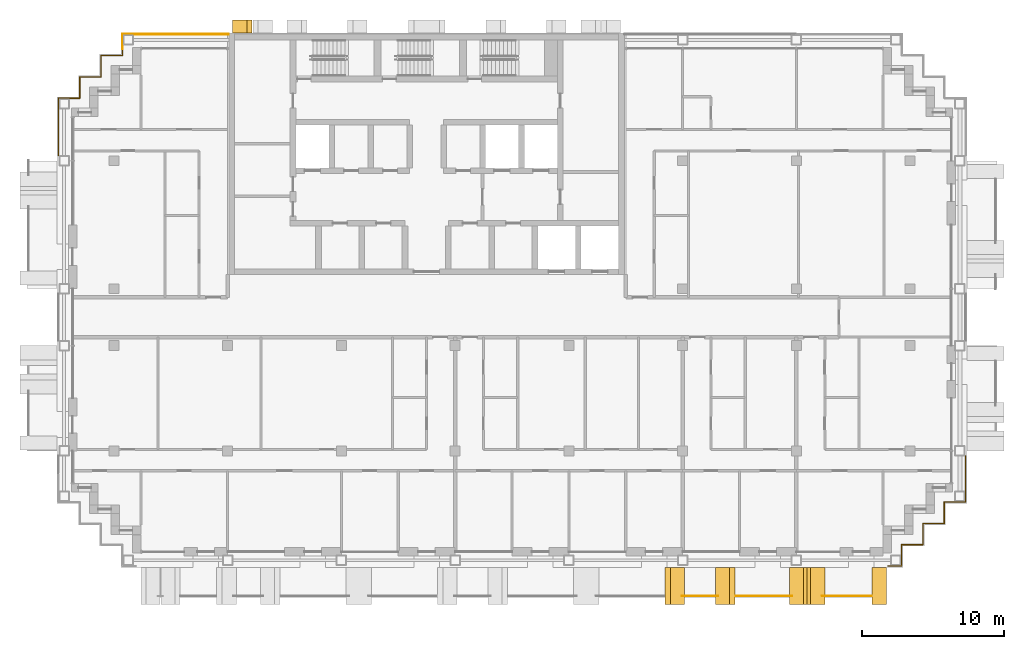
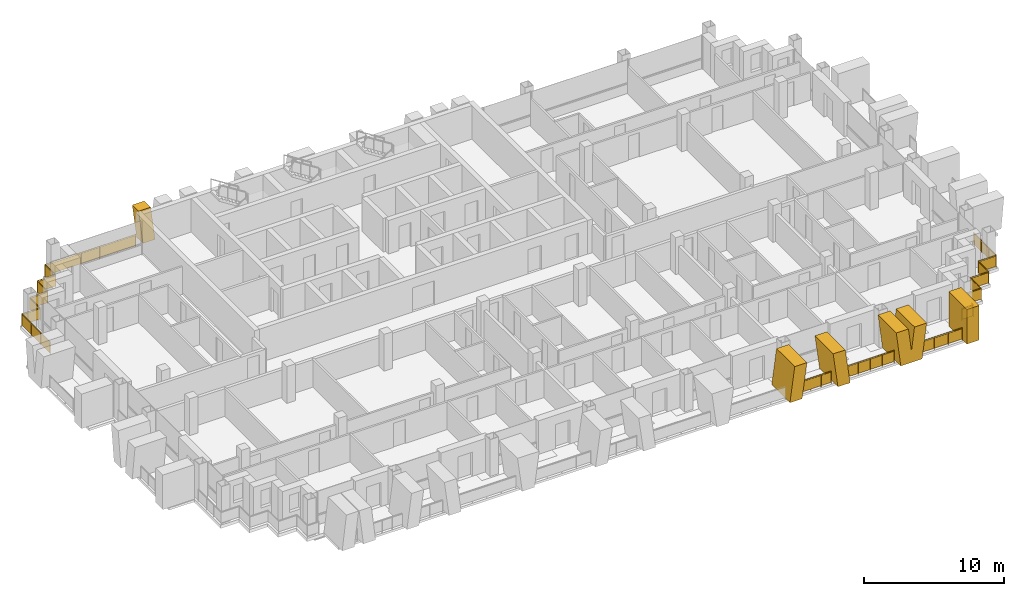
# One storey, part 14 of 16: 7 railings, 5 shading devices.
"""IFC4 building model written with IfcOpenShell, lengths in metres."""

from ifc_helpers import new_model, si_unit, direction, frame, origin, origin_2d, place, context, subcontext, project, spatial, polyline, rectangle, circle, outline, extrude, material, layer, layer_set, type_object, element, save


model = new_model("IFC4")

# Units and contexts
model_context = context("Model", 3, precision=1e-05, world=origin(), true_north=direction((0.0, 1.0)))
body_context = subcontext(model_context, "Body", "Model", "MODEL_VIEW")
ifc_project = project(units=[si_unit("LENGTHUNIT", "METRE"), si_unit("AREAUNIT", "SQUARE_METRE"), si_unit("VOLUMEUNIT", "CUBIC_METRE"), si_unit("PLANEANGLEUNIT", "RADIAN"), si_unit("MASSUNIT", "GRAM", prefix="KILO")], contexts=[model_context])

# Site, building, storey
site_placement = place(None, origin())
site = spatial("IfcSite", under=ifc_project, at=site_placement, CompositionType="ELEMENT")
building_placement = place(site_placement, origin())
building = spatial("IfcBuilding", under=site, at=building_placement, Name="Vidyagriha Tower", CompositionType="ELEMENT")
storey_placement = place(building_placement, frame((0.0, 0.0, 181.300048828125)))
storey = spatial("IfcBuildingStorey", under=building, at=storey_placement, Name="L47", CompositionType="ELEMENT", Elevation=181.300048828125)

# Railings
ifc_material_1 = material(Name="Steel ASTM A500 Grade C black painted", Category="steel")
railing_type_1 = type_object("IfcRailingType", Name="Balcony guard 1100", PredefinedType="BALUSTRADE", material=ifc_material_1)
railing_1_placement = place(storey_placement, frame((17.951416015625, -19.60009765625, 0.0)))
element("IfcRailing", 1, at=railing_1_placement, inside=storey, type_object=railing_type_1, Name="Balcony guard L47 R23.1-9", PredefinedType="BALUSTRADE", context=body_context, shape_type="SweptSolid", body=[
    extrude(circle(Radius=0.02490234375, at=origin_2d()), frame((0.0, 0.0, 1.0751953125), z_axis=(1.0, 0.0, 0.0), x_axis=(0.0, 1.0, 0.0)), (0.0, 0.0, 1.0), 2.547119140625),
    extrude(circle(Radius=0.02001953125, at=origin_2d()), origin(), (0.0, 0.0, 1.0), 1.050048828125),
    extrude(circle(Radius=0.02001953125, at=origin_2d()), frame((0.84912109375, 0.0, 0.0)), (0.0, 0.0, 1.0), 1.050048828125),
    extrude(circle(Radius=0.02001953125, at=origin_2d()), frame((1.697998046875, 0.0, 0.0)), (0.0, 0.0, 1.0), 1.050048828125),
    extrude(circle(Radius=0.02001953125, at=origin_2d()), frame((2.547119140625, 0.0, 0.0)), (0.0, 0.0, 1.0), 1.050048828125),
    extrude(rectangle(XDim=0.010009765625, YDim=0.900146484375, at=origin_2d()), frame((0.0, 0.0, 0.550048828125), z_axis=(1.0, 0.0, 0.0), x_axis=(0.0, 1.0, 0.0)), (0.0, 0.0, 1.0), 2.547119140625),
])
railing_2_placement = place(storey_placement, frame((21.75, -19.60009765625, 0.0)))
element("IfcRailing", 2, at=railing_2_placement, inside=storey, type_object=railing_type_1, Name="Balcony guard L47 R23.1-10", PredefinedType="BALUSTRADE", context=body_context, shape_type="SweptSolid", body=[
    extrude(circle(Radius=0.02490234375, at=origin_2d()), frame((0.0, 0.0, 1.0751953125), z_axis=(1.0, 0.0, 0.0), x_axis=(0.0, 1.0, 0.0)), (0.0, 0.0, 1.0), 3.93115234375),
    extrude(circle(Radius=0.02001953125, at=origin_2d()), origin(), (0.0, 0.0, 1.0), 1.050048828125),
    extrude(circle(Radius=0.02001953125, at=origin_2d()), frame((0.98291015625, 0.0, 0.0)), (0.0, 0.0, 1.0), 1.050048828125),
    extrude(circle(Radius=0.02001953125, at=origin_2d()), frame((1.965576171875, 0.0, 0.0)), (0.0, 0.0, 1.0), 1.050048828125),
    extrude(circle(Radius=0.02001953125, at=origin_2d()), frame((2.9482421875, 0.0, 0.0)), (0.0, 0.0, 1.0), 1.050048828125),
    extrude(circle(Radius=0.02001953125, at=origin_2d()), frame((3.93115234375, 0.0, 0.0)), (0.0, 0.0, 1.0), 1.050048828125),
    extrude(rectangle(XDim=0.010009765625, YDim=0.900146484375, at=origin_2d()), frame((0.0, 0.0, 0.550048828125), z_axis=(1.0, 0.0, 0.0), x_axis=(0.0, 1.0, 0.0)), (0.0, 0.0, 1.0), 3.93115234375),
])
railing_3_placement = place(storey_placement, frame((27.81884765625, -19.60009765625, 0.0)))
element("IfcRailing", 3, at=railing_3_placement, inside=storey, type_object=railing_type_1, Name="Balcony guard L47 R23.1-11", PredefinedType="BALUSTRADE", context=body_context, shape_type="SweptSolid", body=[
    extrude(circle(Radius=0.02490234375, at=origin_2d()), frame((0.0, 0.0, 1.0751953125), z_axis=(1.0, 0.0, 0.0), x_axis=(0.0, 1.0, 0.0)), (0.0, 0.0, 1.0), 3.4560546875),
    extrude(circle(Radius=0.02001953125, at=origin_2d()), origin(), (0.0, 0.0, 1.0), 1.050048828125),
    extrude(circle(Radius=0.02001953125, at=origin_2d()), frame((1.152099609375, 0.0, 0.0)), (0.0, 0.0, 1.0), 1.050048828125),
    extrude(circle(Radius=0.02001953125, at=origin_2d()), frame((2.303955078125, 0.0, 0.0)), (0.0, 0.0, 1.0), 1.050048828125),
    extrude(circle(Radius=0.02001953125, at=origin_2d()), frame((3.4560546875, 0.0, 0.0)), (0.0, 0.0, 1.0), 1.050048828125),
    extrude(rectangle(XDim=0.010009765625, YDim=0.900146484375, at=origin_2d()), frame((0.0, 0.0, 0.550048828125), z_axis=(1.0, 0.0, 0.0), x_axis=(0.0, 1.0, 0.0)), (0.0, 0.0, 1.0), 3.4560546875),
])

# Shading devices
ifc_material_2 = material(Name="Precast concrete C40/50 with buff brick facing", Category="concrete")
ifc_layer_1 = layer(ifc_material_2, 1.0)
ifc_layer_set_1 = layer_set([ifc_layer_1], Name="Precast concrete C40/50 with buff brick facing")
shading_device_type_1 = type_object("IfcShadingDeviceType", Name="Brick-faced blade fin arm leaning 8 degrees", PredefinedType="USERDEFINED", material=ifc_layer_set_1)
shading_device_1_placement = place(storey_placement, frame((20.304931640625, -18.89990234375, 0.0)))
element("IfcShadingDevice", 4, at=shading_device_1_placement, inside=storey, type_object=shading_device_type_1, Name="Leaning blade fin L47 R23.3810a", ObjectType="BLADE FIN", PredefinedType="USERDEFINED", context=body_context, shape_type="SweptSolid", body=[
    extrude(outline(polyline([(0.39501953125, 0.0), (1.39501953125, 0.0), (1.0, 3.0), (0.0, 3.0), (0.39501953125, 0.0)])), frame((0.0, 1.300048828125, 0.0), z_axis=(0.0, -1.0, 0.0), x_axis=(1.0, 0.0, 0.0)), (0.0, 0.0, 1.0), 2.60009765625),
])
shading_device_2_placement = place(storey_placement, frame((16.75, -18.89990234375, 0.0)))
element("IfcShadingDevice", 5, at=shading_device_2_placement, inside=storey, type_object=shading_device_type_1, Name="Leaning blade fin L47 R23.3810b", ObjectType="BLADE FIN", PredefinedType="USERDEFINED", context=body_context, shape_type="SweptSolid", body=[
    extrude(outline(polyline([(0.0, 0.0), (1.0, 0.0), (1.39501953125, 3.0), (0.39501953125, 3.0), (0.0, 0.0)])), frame((0.0, 1.300048828125, 0.0), z_axis=(0.0, -1.0, 0.0), x_axis=(1.0, 0.0, 0.0)), (0.0, 0.0, 1.0), 2.60009765625),
])
ifc_material_3 = material(Name="Precast concrete C40/50 with buff brick facing", Category="concrete")
ifc_layer_2 = layer(ifc_material_3, 1.0)
ifc_layer_set_2 = layer_set([ifc_layer_2], Name="Precast concrete C40/50 with buff brick facing")
shading_device_type_2 = type_object("IfcShadingDeviceType", Name="Brick-faced blade fin forking 8 degrees", PredefinedType="USERDEFINED", material=ifc_layer_set_2)
shading_device_3_placement = place(storey_placement, frame((25.5, -18.89990234375, 0.0)))
element("IfcShadingDevice", 6, at=shading_device_3_placement, inside=storey, type_object=shading_device_type_2, Name="Forked blade fin L47 R23.4610a", ObjectType="BLADE FIN", PredefinedType="USERDEFINED", context=body_context, shape_type="SweptSolid", body=[
    extrude(outline(polyline([(0.375, 0.0), (2.125, 0.0), (2.5, 3.0), (1.5, 3.0), (1.25, 1.0), (1.0, 3.0), (0.0, 3.0), (0.375, 0.0)])), frame((0.0, 1.300048828125, 0.0), z_axis=(0.0, -1.0, 0.0), x_axis=(1.0, 0.0, 0.0)), (0.0, 0.0, 1.0), 2.60009765625),
])
ifc_material_4 = material(Name="Precast concrete C40/50 with buff brick facing", Category="concrete")
ifc_layer_3 = layer(ifc_material_4, 1.0)
ifc_layer_set_3 = layer_set([ifc_layer_3], Name="Precast concrete C40/50 with buff brick facing")
shading_device_type_3 = type_object("IfcShadingDeviceType", Name="Brick-faced blade fin stem 1000", PredefinedType="USERDEFINED", material=ifc_layer_set_3)
shading_device_4_placement = place(storey_placement, frame((31.324951171875, -18.89990234375, 0.0)))
element("IfcShadingDevice", 7, at=shading_device_4_placement, inside=storey, type_object=shading_device_type_3, Name="Stem blade fin L47 R23.5220a", ObjectType="BLADE FIN", PredefinedType="USERDEFINED", context=body_context, shape_type="SweptSolid", body=[
    extrude(outline(polyline([(0.0, 0.0), (1.0, 0.0), (1.0, 3.0), (0.0, 3.0), (0.0, 0.0)])), frame((0.0, 1.300048828125, 0.0), z_axis=(0.0, -1.0, 0.0), x_axis=(1.0, 0.0, 0.0)), (0.0, 0.0, 1.0), 2.60009765625),
])
ifc_material_5 = material(Name="Precast concrete C40/50 with brick facing", Category="concrete")
ifc_layer_4 = layer(ifc_material_5, 1.0)
ifc_layer_set_4 = layer_set([ifc_layer_4], Name="Precast concrete C40/50 with brick facing")
shading_device_type_4 = type_object("IfcShadingDeviceType", Name="Brick-faced rear rib arm leaning 8 degrees", PredefinedType="USERDEFINED", material=ifc_layer_set_4)
shading_device_5_placement = place(storey_placement, frame((-12.28564453125, 20.449951171875, 0.0), z_axis=(0.0, 0.0, 1.0), x_axis=(-1.0, 0.0, 0.0)))
element("IfcShadingDevice", 8, at=shading_device_5_placement, inside=storey, type_object=shading_device_type_4, Name="Rear rib arm L47 R08.5a", ObjectType="BLADE FIN", PredefinedType="USERDEFINED", context=body_context, shape_type="SweptSolid", body=[
    extrude(outline(polyline([(0.0, 0.0), (1.0, 0.0), (1.357177734375, 2.919921875), (0.357177734375, 2.919921875), (0.0, 0.0)])), frame((0.0, 0.449951171875, 0.0), z_axis=(0.0, -1.0, 0.0), x_axis=(1.0, 0.0, 0.0)), (0.0, 0.0, 1.0), 0.89990234375),
])

# Railings
ifc_material_6 = material(Name="Steel ASTM A500 Grade C black painted", Category="steel")
railing_type_2 = type_object("IfcRailingType", Name="Gallery guard 1100", PredefinedType="GUARDRAIL", material=ifc_material_6)
railing_4_placement = place(storey_placement, frame((-25.89990234375, 11.360107421875, 0.0)))
element("IfcRailing", 9, at=railing_4_placement, inside=storey, type_object=railing_type_2, Name="Gallery guard L47 4", PredefinedType="GUARDRAIL", context=body_context, shape_type="SweptSolid", body=[
    extrude(circle(Radius=0.02490234375, at=origin_2d()), frame((0.0, 0.0, 1.0751953125), z_axis=(0.0, 1.0, 0.0), x_axis=(-1.0, 0.0, 0.0)), (0.0, 0.0, 1.0), 4.039794921875),
    extrude(circle(Radius=0.02490234375, at=origin_2d()), frame((0.0, 4.039794921875, 1.0751953125), z_axis=(1.0, 0.0, 0.0), x_axis=(0.0, 1.0, 0.0)), (0.0, 0.0, 1.0), 1.5),
    extrude(circle(Radius=0.02490234375, at=origin_2d()), frame((1.5, 4.039794921875, 1.0751953125), z_axis=(0.0, 1.0, 0.0), x_axis=(-1.0, 0.0, 0.0)), (0.0, 0.0, 1.0), 1.5),
    extrude(circle(Radius=0.02490234375, at=origin_2d()), frame((1.5, 5.539794921875, 1.0751953125), z_axis=(1.0, 0.0, 0.0), x_axis=(0.0, 1.0, 0.0)), (0.0, 0.0, 1.0), 1.5),
    extrude(circle(Radius=0.02490234375, at=origin_2d()), frame((3.0, 5.539794921875, 1.0751953125), z_axis=(0.0, 1.0, 0.0), x_axis=(-1.0, 0.0, 0.0)), (0.0, 0.0, 1.0), 1.5),
    extrude(circle(Radius=0.02490234375, at=origin_2d()), frame((3.0, 7.039794921875, 1.0751953125), z_axis=(1.0, 0.0, 0.0), x_axis=(0.0, 1.0, 0.0)), (0.0, 0.0, 1.0), 1.5),
    extrude(circle(Radius=0.02490234375, at=origin_2d()), frame((4.5, 7.039794921875, 1.0751953125), z_axis=(0.0, 1.0, 0.0), x_axis=(-1.0, 0.0, 0.0)), (0.0, 0.0, 1.0), 0.460205078125),
    extrude(circle(Radius=0.02001953125, at=origin_2d()), origin(), (0.0, 0.0, 1.0), 1.050048828125),
    extrude(circle(Radius=0.02001953125, at=origin_2d()), frame((0.0, 1.3466796875, 0.0)), (0.0, 0.0, 1.0), 1.050048828125),
    extrude(circle(Radius=0.02001953125, at=origin_2d()), frame((0.0, 2.693115234375, 0.0)), (0.0, 0.0, 1.0), 1.050048828125),
    extrude(circle(Radius=0.02001953125, at=origin_2d()), frame((0.0, 4.039794921875, 0.0)), (0.0, 0.0, 1.0), 1.050048828125),
    extrude(circle(Radius=0.02001953125, at=origin_2d()), frame((1.5, 4.039794921875, 0.0)), (0.0, 0.0, 1.0), 1.050048828125),
    extrude(circle(Radius=0.02001953125, at=origin_2d()), frame((1.5, 5.539794921875, 0.0)), (0.0, 0.0, 1.0), 1.050048828125),
    extrude(circle(Radius=0.02001953125, at=origin_2d()), frame((3.0, 5.539794921875, 0.0)), (0.0, 0.0, 1.0), 1.050048828125),
    extrude(circle(Radius=0.02001953125, at=origin_2d()), frame((3.0, 7.039794921875, 0.0)), (0.0, 0.0, 1.0), 1.050048828125),
    extrude(circle(Radius=0.02001953125, at=origin_2d()), frame((4.5, 7.039794921875, 0.0)), (0.0, 0.0, 1.0), 1.050048828125),
    extrude(circle(Radius=0.02001953125, at=origin_2d()), frame((4.5, 7.5, 0.0)), (0.0, 0.0, 1.0), 1.050048828125),
    extrude(rectangle(XDim=0.010009765625, YDim=0.900146484375, at=origin_2d()), frame((0.0, 0.0, 0.550048828125), z_axis=(0.0, 1.0, 0.0), x_axis=(-1.0, 0.0, 0.0)), (0.0, 0.0, 1.0), 4.039794921875),
    extrude(rectangle(XDim=0.010009765625, YDim=0.900146484375, at=origin_2d()), frame((0.0, 4.039794921875, 0.550048828125), z_axis=(1.0, 0.0, 0.0), x_axis=(0.0, 1.0, 0.0)), (0.0, 0.0, 1.0), 1.5),
    extrude(rectangle(XDim=0.010009765625, YDim=0.900146484375, at=origin_2d()), frame((1.5, 4.039794921875, 0.550048828125), z_axis=(0.0, 1.0, 0.0), x_axis=(-1.0, 0.0, 0.0)), (0.0, 0.0, 1.0), 1.5),
    extrude(rectangle(XDim=0.010009765625, YDim=0.900146484375, at=origin_2d()), frame((1.5, 5.539794921875, 0.550048828125), z_axis=(1.0, 0.0, 0.0), x_axis=(0.0, 1.0, 0.0)), (0.0, 0.0, 1.0), 1.5),
    extrude(rectangle(XDim=0.010009765625, YDim=0.900146484375, at=origin_2d()), frame((3.0, 5.539794921875, 0.550048828125), z_axis=(0.0, 1.0, 0.0), x_axis=(-1.0, 0.0, 0.0)), (0.0, 0.0, 1.0), 1.5),
    extrude(rectangle(XDim=0.010009765625, YDim=0.900146484375, at=origin_2d()), frame((3.0, 7.039794921875, 0.550048828125), z_axis=(1.0, 0.0, 0.0), x_axis=(0.0, 1.0, 0.0)), (0.0, 0.0, 1.0), 1.5),
    extrude(rectangle(XDim=0.010009765625, YDim=0.900146484375, at=origin_2d()), frame((4.5, 7.039794921875, 0.550048828125), z_axis=(0.0, 1.0, 0.0), x_axis=(-1.0, 0.0, 0.0)), (0.0, 0.0, 1.0), 0.460205078125),
])
railing_5_placement = place(storey_placement, frame((-21.39990234375, 18.860107421875, 0.0)))
element("IfcRailing", 10, at=railing_5_placement, inside=storey, type_object=railing_type_2, Name="Gallery guard L47 5", PredefinedType="GUARDRAIL", context=body_context, shape_type="SweptSolid", body=[
    extrude(circle(Radius=0.02490234375, at=origin_2d()), frame((0.0, 0.0, 1.0751953125), z_axis=(0.0, 1.0, 0.0), x_axis=(-1.0, 0.0, 0.0)), (0.0, 0.0, 1.0), 1.039794921875),
    extrude(circle(Radius=0.02490234375, at=origin_2d()), frame((0.0, 1.039794921875, 1.0751953125), z_axis=(1.0, 0.0, 0.0), x_axis=(0.0, 1.0, 0.0)), (0.0, 0.0, 1.0), 7.469970703125),
    extrude(circle(Radius=0.02001953125, at=origin_2d()), origin(), (0.0, 0.0, 1.0), 1.050048828125),
    extrude(circle(Radius=0.02001953125, at=origin_2d()), frame((0.0, 1.039794921875, 0.0)), (0.0, 0.0, 1.0), 1.050048828125),
    extrude(circle(Radius=0.02001953125, at=origin_2d()), frame((1.493896484375, 1.039794921875, 0.0)), (0.0, 0.0, 1.0), 1.050048828125),
    extrude(circle(Radius=0.02001953125, at=origin_2d()), frame((2.988037109375, 1.039794921875, 0.0)), (0.0, 0.0, 1.0), 1.050048828125),
    extrude(circle(Radius=0.02001953125, at=origin_2d()), frame((4.48193359375, 1.039794921875, 0.0)), (0.0, 0.0, 1.0), 1.050048828125),
    extrude(circle(Radius=0.02001953125, at=origin_2d()), frame((5.97607421875, 1.039794921875, 0.0)), (0.0, 0.0, 1.0), 1.050048828125),
    extrude(circle(Radius=0.02001953125, at=origin_2d()), frame((7.469970703125, 1.039794921875, 0.0)), (0.0, 0.0, 1.0), 1.050048828125),
    extrude(rectangle(XDim=0.010009765625, YDim=0.900146484375, at=origin_2d()), frame((0.0, 0.0, 0.550048828125), z_axis=(0.0, 1.0, 0.0), x_axis=(-1.0, 0.0, 0.0)), (0.0, 0.0, 1.0), 1.039794921875),
    extrude(rectangle(XDim=0.010009765625, YDim=0.900146484375, at=origin_2d()), frame((0.0, 1.039794921875, 0.550048828125), z_axis=(1.0, 0.0, 0.0), x_axis=(0.0, 1.0, 0.0)), (0.0, 0.0, 1.0), 7.469970703125),
])
railing_6_placement = place(storey_placement, frame((37.89990234375, -9.760009765625, 0.0)))
element("IfcRailing", 11, at=railing_6_placement, inside=storey, type_object=railing_type_2, Name="Gallery guard L47 9", PredefinedType="GUARDRAIL", context=body_context, shape_type="SweptSolid", body=[
    extrude(circle(Radius=0.02490234375, at=origin_2d()), frame((0.0, 0.0, 1.0751953125), z_axis=(0.0, -1.0, 0.0), x_axis=(1.0, 0.0, 0.0)), (0.0, 0.0, 1.0), 3.239990234375),
    extrude(circle(Radius=0.02490234375, at=origin_2d()), frame((0.0, -3.239990234375, 1.0751953125), z_axis=(-1.0, 0.0, 0.0), x_axis=(0.0, -1.0, 0.0)), (0.0, 0.0, 1.0), 1.5),
    extrude(circle(Radius=0.02490234375, at=origin_2d()), frame((-1.5, -3.239990234375, 1.0751953125), z_axis=(0.0, -1.0, 0.0), x_axis=(1.0, 0.0, 0.0)), (0.0, 0.0, 1.0), 1.5),
    extrude(circle(Radius=0.02490234375, at=origin_2d()), frame((-1.5, -4.739990234375, 1.0751953125), z_axis=(-1.0, 0.0, 0.0), x_axis=(0.0, -1.0, 0.0)), (0.0, 0.0, 1.0), 1.5),
    extrude(circle(Radius=0.02490234375, at=origin_2d()), frame((-3.0, -4.739990234375, 1.0751953125), z_axis=(0.0, -1.0, 0.0), x_axis=(1.0, 0.0, 0.0)), (0.0, 0.0, 1.0), 1.5),
    extrude(circle(Radius=0.02490234375, at=origin_2d()), frame((-3.0, -6.239990234375, 1.0751953125), z_axis=(-1.0, 0.0, 0.0), x_axis=(0.0, -1.0, 0.0)), (0.0, 0.0, 1.0), 1.5),
    extrude(circle(Radius=0.02490234375, at=origin_2d()), frame((-4.5, -6.239990234375, 1.0751953125), z_axis=(0.0, -1.0, 0.0), x_axis=(1.0, 0.0, 0.0)), (0.0, 0.0, 1.0), 1.260009765625),
    extrude(circle(Radius=0.02001953125, at=origin_2d()), origin(), (0.0, 0.0, 1.0), 1.050048828125),
    extrude(circle(Radius=0.02001953125, at=origin_2d()), frame((0.0, -1.080078125, 0.0)), (0.0, 0.0, 1.0), 1.050048828125),
    extrude(circle(Radius=0.02001953125, at=origin_2d()), frame((0.0, -2.159912109375, 0.0)), (0.0, 0.0, 1.0), 1.050048828125),
    extrude(circle(Radius=0.02001953125, at=origin_2d()), frame((0.0, -3.239990234375, 0.0)), (0.0, 0.0, 1.0), 1.050048828125),
    extrude(circle(Radius=0.02001953125, at=origin_2d()), frame((-1.5, -3.239990234375, 0.0)), (0.0, 0.0, 1.0), 1.050048828125),
    extrude(circle(Radius=0.02001953125, at=origin_2d()), frame((-1.5, -4.739990234375, 0.0)), (0.0, 0.0, 1.0), 1.050048828125),
    extrude(circle(Radius=0.02001953125, at=origin_2d()), frame((-3.0, -4.739990234375, 0.0)), (0.0, 0.0, 1.0), 1.050048828125),
    extrude(circle(Radius=0.02001953125, at=origin_2d()), frame((-3.0, -6.239990234375, 0.0)), (0.0, 0.0, 1.0), 1.050048828125),
    extrude(circle(Radius=0.02001953125, at=origin_2d()), frame((-4.5, -6.239990234375, 0.0)), (0.0, 0.0, 1.0), 1.050048828125),
    extrude(circle(Radius=0.02001953125, at=origin_2d()), frame((-4.5, -7.5, 0.0)), (0.0, 0.0, 1.0), 1.050048828125),
    extrude(rectangle(XDim=0.010009765625, YDim=0.900146484375, at=origin_2d()), frame((0.0, 0.0, 0.550048828125), z_axis=(0.0, -1.0, 0.0), x_axis=(1.0, 0.0, 0.0)), (0.0, 0.0, 1.0), 3.239990234375),
    extrude(rectangle(XDim=0.010009765625, YDim=0.900146484375, at=origin_2d()), frame((0.0, -3.239990234375, 0.550048828125), z_axis=(-1.0, 0.0, 0.0), x_axis=(0.0, -1.0, 0.0)), (0.0, 0.0, 1.0), 1.5),
    extrude(rectangle(XDim=0.010009765625, YDim=0.900146484375, at=origin_2d()), frame((-1.5, -3.239990234375, 0.550048828125), z_axis=(0.0, -1.0, 0.0), x_axis=(1.0, 0.0, 0.0)), (0.0, 0.0, 1.0), 1.5),
    extrude(rectangle(XDim=0.010009765625, YDim=0.900146484375, at=origin_2d()), frame((-1.5, -4.739990234375, 0.550048828125), z_axis=(-1.0, 0.0, 0.0), x_axis=(0.0, -1.0, 0.0)), (0.0, 0.0, 1.0), 1.5),
    extrude(rectangle(XDim=0.010009765625, YDim=0.900146484375, at=origin_2d()), frame((-3.0, -4.739990234375, 0.550048828125), z_axis=(0.0, -1.0, 0.0), x_axis=(1.0, 0.0, 0.0)), (0.0, 0.0, 1.0), 1.5),
    extrude(rectangle(XDim=0.010009765625, YDim=0.900146484375, at=origin_2d()), frame((-3.0, -6.239990234375, 0.550048828125), z_axis=(-1.0, 0.0, 0.0), x_axis=(0.0, -1.0, 0.0)), (0.0, 0.0, 1.0), 1.5),
    extrude(rectangle(XDim=0.010009765625, YDim=0.900146484375, at=origin_2d()), frame((-4.5, -6.239990234375, 0.550048828125), z_axis=(0.0, -1.0, 0.0), x_axis=(1.0, 0.0, 0.0)), (0.0, 0.0, 1.0), 1.260009765625),
])
railing_7_placement = place(storey_placement, frame((33.39990234375, -17.260009765625, 0.0)))
element("IfcRailing", 12, at=railing_7_placement, inside=storey, type_object=railing_type_2, Name="Gallery guard L47 10", PredefinedType="GUARDRAIL", context=body_context, shape_type="SweptSolid", body=[
    extrude(circle(Radius=0.02490234375, at=origin_2d()), frame((0.0, 0.0, 1.0751953125), z_axis=(0.0, -1.0, 0.0), x_axis=(1.0, 0.0, 0.0)), (0.0, 0.0, 1.0), 0.239990234375),
    extrude(circle(Radius=0.02490234375, at=origin_2d()), frame((0.0, -0.239990234375, 1.0751953125), z_axis=(-1.0, 0.0, 0.0), x_axis=(0.0, -1.0, 0.0)), (0.0, 0.0, 1.0), 0.93994140625),
    extrude(circle(Radius=0.02001953125, at=origin_2d()), origin(), (0.0, 0.0, 1.0), 1.050048828125),
    extrude(circle(Radius=0.02001953125, at=origin_2d()), frame((0.0, -0.239990234375, 0.0)), (0.0, 0.0, 1.0), 1.050048828125),
    extrude(circle(Radius=0.02001953125, at=origin_2d()), frame((-0.93994140625, -0.239990234375, 0.0)), (0.0, 0.0, 1.0), 1.050048828125),
    extrude(rectangle(XDim=0.010009765625, YDim=0.900146484375, at=origin_2d()), frame((0.0, 0.0, 0.550048828125), z_axis=(0.0, -1.0, 0.0), x_axis=(1.0, 0.0, 0.0)), (0.0, 0.0, 1.0), 0.239990234375),
    extrude(rectangle(XDim=0.010009765625, YDim=0.900146484375, at=origin_2d()), frame((0.0, -0.239990234375, 0.550048828125), z_axis=(-1.0, 0.0, 0.0), x_axis=(0.0, -1.0, 0.0)), (0.0, 0.0, 1.0), 0.93994140625),
])

save(model, "model.ifc")
